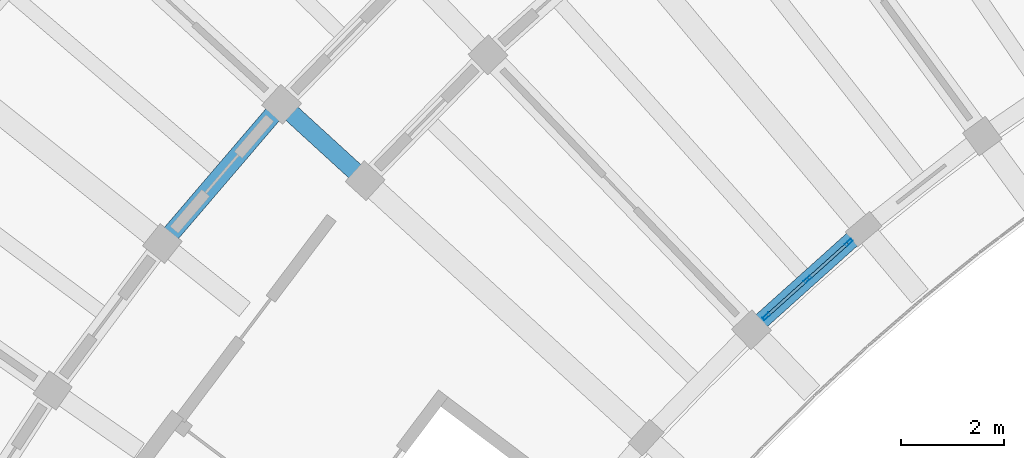
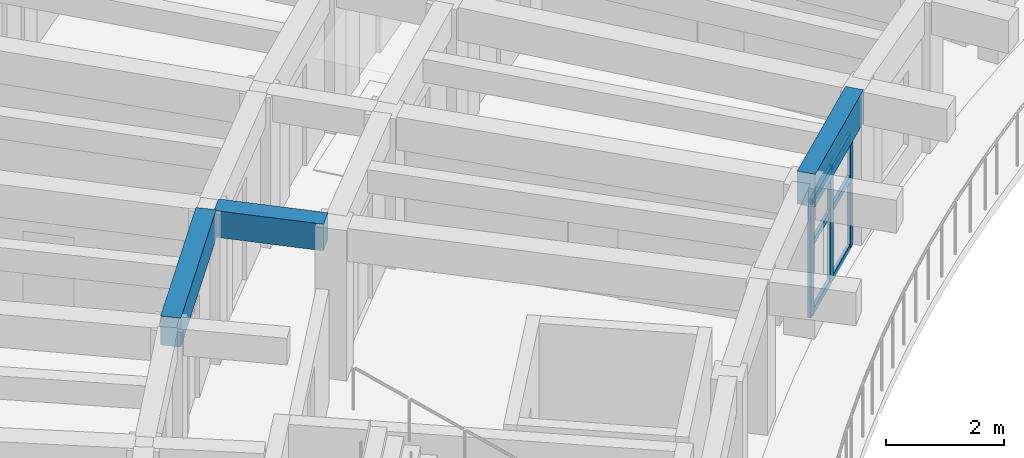
# One storey, part 12 of 78: 9 members, 3 beams, 1 element without a shape of its own.
"""IFC4 building model written with IfcOpenShell, lengths in metres."""

from ifc_helpers import new_model, si_unit, direction, frame, origin, origin_2d, place, context, subcontext, project, spatial, rectangle, hollow_rectangle, extrude, material, material_profile, profile_set, type_object, element, aggregate, save


model = new_model("IFC4")

# Units and contexts
model_context = context("Model", 3, precision=1e-05, world=origin(), true_north=direction((0.0, 1.0)))
body_context = subcontext(model_context, "Body", "Model", "MODEL_VIEW")
ifc_project = project(units=[si_unit("LENGTHUNIT", "METRE"), si_unit("AREAUNIT", "SQUARE_METRE"), si_unit("VOLUMEUNIT", "CUBIC_METRE"), si_unit("PLANEANGLEUNIT", "RADIAN"), si_unit("MASSUNIT", "GRAM", prefix="KILO")], contexts=[model_context])

# Site, building, storey
site_placement = place(None, origin())
site = spatial("IfcSite", under=ifc_project, at=site_placement, CompositionType="ELEMENT")
building_placement = place(site_placement, origin())
building = spatial("IfcBuilding", under=site, at=building_placement, Name="Tanwirah Colonnade Gardens", CompositionType="ELEMENT")
storey_placement = place(building_placement, frame((0.0, 0.0, 22.280029296875)))
storey = spatial("IfcBuildingStorey", under=building, at=storey_placement, Name="L06", CompositionType="ELEMENT", Elevation=22.280029296875)

# Beams
ifc_material_1 = material(Name="Precast concrete C40/50", Category="concrete")
ifc_material_profile_1 = material_profile(ifc_material_1, rectangle(XDim=0.35009765625, YDim=0.550048828125, at=origin_2d()), Name="PC-BM 350x550")
ifc_profile_set_1 = profile_set([ifc_material_profile_1], Name="Precast concrete C40/50")
beam_type_1 = type_object("IfcBeamType", Name="BM-PC350A", PredefinedType="BEAM", material=ifc_profile_set_1)
beam_1_placement = place(storey_placement, frame((26.62744140625, 95.29345703125, 2.8349609375), z_axis=(-0.737948361517, 0.674857181732, 0.0), x_axis=(-0.674857181732, -0.737948361517, 0.0)))
element("IfcBeam", 1, at=beam_1_placement, inside=storey, type_object=beam_type_1, Name="Block A L06 Corridor Tie Beam 11", PredefinedType="BEAM", context=body_context, shape_type="SweptSolid", body=[
    extrude(rectangle(XDim=0.35009765625, YDim=0.550048828125, at=origin_2d()), origin(), (0.0, 0.0, 1.0), 1.89990234375),
])
ifc_material_profile_2 = material_profile(ifc_material_1, rectangle(XDim=0.35009765625, YDim=0.60009765625, at=origin_2d()), Name="PC-BM 350x600")
ifc_profile_set_2 = profile_set([ifc_material_profile_2], Name="Precast concrete C40/50")
beam_type_2 = type_object("IfcBeamType", Name="BM-PC350B", PredefinedType="BEAM", material=ifc_profile_set_2)
beam_2_placement = place(storey_placement, frame((25.017333984375, 96.56298828125, 2.81005859375), z_axis=(-0.650218192342, -0.759747525398, 0.0), x_axis=(0.759747525398, -0.650218192342, 0.0)))
element("IfcBeam", 2, at=beam_2_placement, inside=storey, type_object=beam_type_2, Name="Block A L06 Circumferential Beam 11-R2", PredefinedType="BEAM", context=body_context, shape_type="SweptSolid", body=[
    extrude(rectangle(XDim=0.35009765625, YDim=0.60009765625, at=origin_2d()), origin(), (0.0, 0.0, 1.0), 3.26318359375),
])

# Curtain wall, members
ifc_material_2 = material(Name="Bronze-anodised aluminium and solar-control low-E glass", Category="aluminium")
curtain_wall_type = type_object("IfcCurtainWallType", Name="CW-GDN", PredefinedType="NOTDEFINED", material=ifc_material_2)
curtain_wall_placement = place(storey_placement, origin())
curtain_wall = element("IfcCurtainWall", 3, at=curtain_wall_placement, inside=storey, type_object=curtain_wall_type, Name="Curtain Wall CW-A-L06-IN-09", PredefinedType="NOTDEFINED")
ifc_material_3 = material(Name="Bronze-anodised aluminium", Category="aluminium")
ifc_material_profile_3 = material_profile(ifc_material_3, hollow_rectangle(XDim=0.06005859375, YDim=0.159912109375, WallThickness=0.00390625, at=origin_2d()), Name="CW-MUL 60x160x4")
ifc_profile_set_3 = profile_set([ifc_material_profile_3], Name="Bronze-anodised aluminium")
member_type_1 = type_object("IfcMemberType", Name="CWM-60x160", PredefinedType="MULLION", material=ifc_profile_set_3)
member_1_placement = place(storey_placement, frame((36.1376953125, 93.990234375, 0.0), z_axis=(0.0, 0.0, 1.0), x_axis=(0.667689182798, -0.744440162253, 0.0)))
member_1 = element("IfcMember", 4, at=member_1_placement, type_object=member_type_1, Name="CW-GDN mullion 1", PredefinedType="MULLION", context=body_context, shape_type="SweptSolid", body=[
    extrude(hollow_rectangle(XDim=0.06005859375, YDim=0.159912109375, WallThickness=0.00390625, at=origin_2d()), origin(), (0.0, 0.0, 1.0), 2.35498046875),
])
member_2_placement = place(storey_placement, frame((35.33740234375, 93.2724609375, 0.0), z_axis=(0.0, 0.0, 1.0), x_axis=(0.667689182798, -0.744440162253, 0.0)))
member_2 = element("IfcMember", 5, at=member_2_placement, type_object=member_type_1, Name="CW-GDN mullion 2", PredefinedType="MULLION", context=body_context, shape_type="SweptSolid", body=[
    extrude(hollow_rectangle(XDim=0.06005859375, YDim=0.159912109375, WallThickness=0.00390625, at=origin_2d()), origin(), (0.0, 0.0, 1.0), 2.35498046875),
])
member_3_placement = place(storey_placement, frame((34.537109375, 92.5546875, 0.0), z_axis=(0.0, 0.0, 1.0), x_axis=(0.667689182798, -0.744440162253, 0.0)))
member_3 = element("IfcMember", 6, at=member_3_placement, type_object=member_type_1, Name="CW-GDN mullion 3", PredefinedType="MULLION", context=body_context, shape_type="SweptSolid", body=[
    extrude(hollow_rectangle(XDim=0.06005859375, YDim=0.159912109375, WallThickness=0.00390625, at=origin_2d()), origin(), (0.0, 0.0, 1.0), 2.35498046875),
])
ifc_material_profile_4 = material_profile(ifc_material_3, hollow_rectangle(XDim=0.06005859375, YDim=0.1201171875, WallThickness=0.00390625, at=origin_2d()), Name="CW-TRN 60x120x4")
ifc_profile_set_4 = profile_set([ifc_material_profile_4], Name="Bronze-anodised aluminium")
member_type_2 = type_object("IfcMemberType", Name="CWT-60x120", PredefinedType="USERDEFINED", material=ifc_profile_set_4)
member_4_placement = place(storey_placement, frame((36.115478515625, 93.97021484375, 0.030029296875), z_axis=(-0.744536466411, -0.66758179288, 0.0), x_axis=(0.66758179288, -0.744536466411, 0.0)))
member_4 = element("IfcMember", 7, at=member_4_placement, type_object=member_type_2, Name="CW-GDN transom 1.1", ObjectType="TRANSOM", PredefinedType="USERDEFINED", context=body_context, shape_type="SweptSolid", body=[
    extrude(hollow_rectangle(XDim=0.06005859375, YDim=0.1201171875, WallThickness=0.00390625, at=origin_2d()), origin(), (0.0, 0.0, 1.0), 1.01513671875),
])
member_5_placement = place(storey_placement, frame((36.115478515625, 93.97021484375, 1.4599609375), z_axis=(-0.744536466411, -0.66758179288, 0.0), x_axis=(0.66758179288, -0.744536466411, 0.0)))
member_5 = element("IfcMember", 8, at=member_5_placement, type_object=member_type_2, Name="CW-GDN transom 1.2", ObjectType="TRANSOM", PredefinedType="USERDEFINED", context=body_context, shape_type="SweptSolid", body=[
    extrude(hollow_rectangle(XDim=0.06005859375, YDim=0.1201171875, WallThickness=0.00390625, at=origin_2d()), origin(), (0.0, 0.0, 1.0), 1.01513671875),
])
member_6_placement = place(storey_placement, frame((36.115478515625, 93.97021484375, 2.324951171875), z_axis=(-0.744536466411, -0.66758179288, 0.0), x_axis=(0.66758179288, -0.744536466411, 0.0)))
member_6 = element("IfcMember", 9, at=member_6_placement, type_object=member_type_2, Name="CW-GDN transom 1.3", ObjectType="TRANSOM", PredefinedType="USERDEFINED", context=body_context, shape_type="SweptSolid", body=[
    extrude(hollow_rectangle(XDim=0.06005859375, YDim=0.1201171875, WallThickness=0.00390625, at=origin_2d()), origin(), (0.0, 0.0, 1.0), 1.01513671875),
])
member_7_placement = place(storey_placement, frame((35.31494140625, 93.25244140625, 0.030029296875), z_axis=(-0.744429262498, -0.667701335281, 0.0), x_axis=(0.667701335281, -0.744429262498, 0.0)))
member_7 = element("IfcMember", 10, at=member_7_placement, type_object=member_type_2, Name="CW-GDN transom 2.1", ObjectType="TRANSOM", PredefinedType="USERDEFINED", context=body_context, shape_type="SweptSolid", body=[
    extrude(hollow_rectangle(XDim=0.06005859375, YDim=0.1201171875, WallThickness=0.00390625, at=origin_2d()), origin(), (0.0, 0.0, 1.0), 1.01513671875),
])
member_8_placement = place(storey_placement, frame((35.31494140625, 93.25244140625, 1.4599609375), z_axis=(-0.744429262498, -0.667701335281, 0.0), x_axis=(0.667701335281, -0.744429262498, 0.0)))
member_8 = element("IfcMember", 11, at=member_8_placement, type_object=member_type_2, Name="CW-GDN transom 2.2", ObjectType="TRANSOM", PredefinedType="USERDEFINED", context=body_context, shape_type="SweptSolid", body=[
    extrude(hollow_rectangle(XDim=0.06005859375, YDim=0.1201171875, WallThickness=0.00390625, at=origin_2d()), origin(), (0.0, 0.0, 1.0), 1.01513671875),
])
member_9_placement = place(storey_placement, frame((35.31494140625, 93.25244140625, 2.324951171875), z_axis=(-0.744429262498, -0.667701335281, 0.0), x_axis=(0.667701335281, -0.744429262498, 0.0)))
member_9 = element("IfcMember", 12, at=member_9_placement, type_object=member_type_2, Name="CW-GDN transom 2.3", ObjectType="TRANSOM", PredefinedType="USERDEFINED", context=body_context, shape_type="SweptSolid", body=[
    extrude(hollow_rectangle(XDim=0.06005859375, YDim=0.1201171875, WallThickness=0.00390625, at=origin_2d()), origin(), (0.0, 0.0, 1.0), 1.01513671875),
])
aggregate(curtain_wall, [member_1, member_2, member_3, member_4, member_5, member_6, member_7, member_8, member_9])

# Beam
ifc_material_4 = material(Name="Precast concrete C45/55", Category="concrete")
ifc_material_profile_5 = material_profile(ifc_material_4, rectangle(XDim=0.320068359375, YDim=0.679931640625, at=origin_2d()), Name="PC-SP 320x680")
ifc_profile_set_5 = profile_set([ifc_material_profile_5], Name="Precast concrete C45/55")
beam_type_3 = type_object("IfcBeamType", Name="SP-PC320", PredefinedType="SPANDREL", material=ifc_profile_set_5)
beam_3_placement = place(storey_placement, frame((36.31640625, 94.150634765625, 2.77001953125), z_axis=(-0.744400790288, -0.667733077972, 0.0), x_axis=(0.667733077972, -0.744400790288, 0.0)))
element("IfcBeam", 13, at=beam_3_placement, inside=storey, type_object=beam_type_3, Name="Block A L06 Circumferential Beam 9-R0", PredefinedType="SPANDREL", context=body_context, shape_type="SweptSolid", body=[
    extrude(rectangle(XDim=0.320068359375, YDim=0.679931640625, at=origin_2d()), origin(), (0.0, 0.0, 1.0), 2.63037109375),
])

save(model, "model.ifc")
